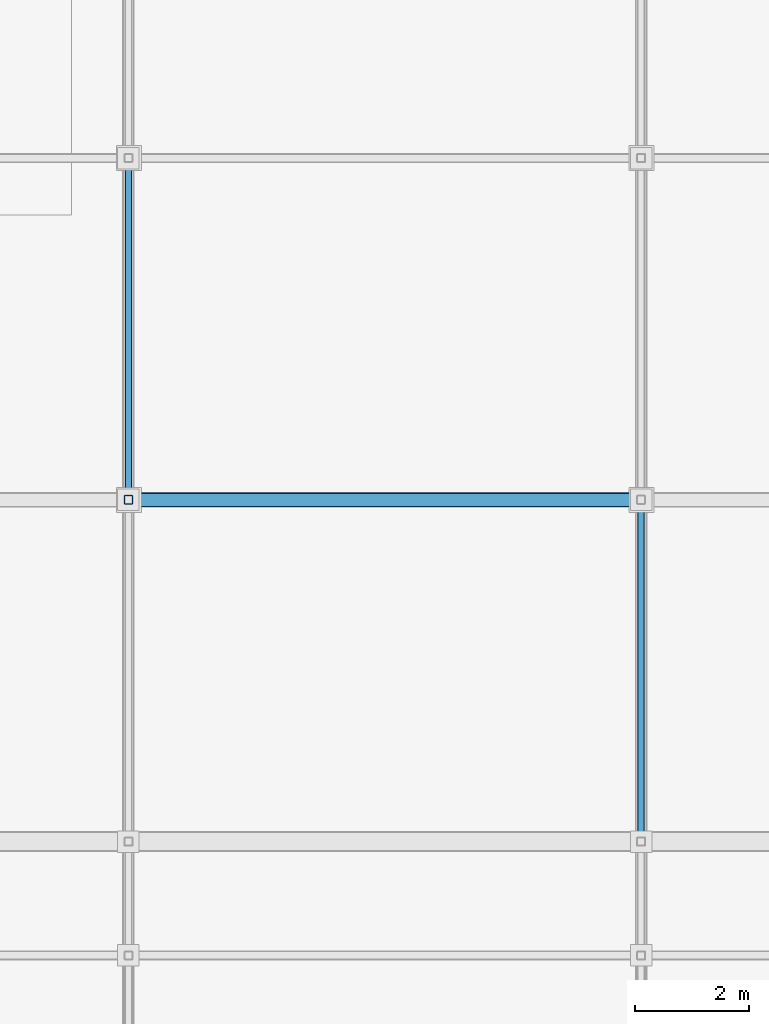
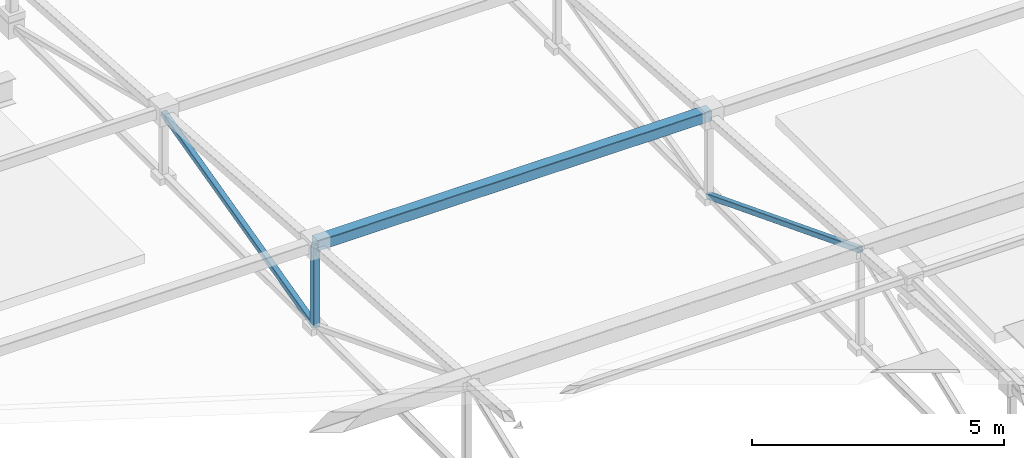
# One storey, part 40 of 85: 4 members.
"""IFC4 building model written with IfcOpenShell, lengths in metres."""

from ifc_helpers import new_model, si_unit, direction, frame, origin, origin_2d, place, context, subcontext, project, spatial, hollow_rectangle, extrude, material, material_profile, profile_set, type_object, element, save


model = new_model("IFC4")

# Units and contexts
model_context = context("Model", 3, precision=1e-05, world=origin(), true_north=direction((0.0, 1.0)))
body_context = subcontext(model_context, "Body", "Model", "MODEL_VIEW")
ifc_project = project(units=[si_unit("LENGTHUNIT", "METRE"), si_unit("AREAUNIT", "SQUARE_METRE"), si_unit("VOLUMEUNIT", "CUBIC_METRE"), si_unit("PLANEANGLEUNIT", "RADIAN"), si_unit("MASSUNIT", "GRAM", prefix="KILO"), si_unit("THERMODYNAMICTEMPERATUREUNIT", "KELVIN"), si_unit("POWERUNIT", "WATT")], contexts=[model_context])

# Site, building, storey
site_placement = place(None, origin())
site = spatial("IfcSite", under=ifc_project, at=site_placement, CompositionType="ELEMENT")
building_placement = place(site_placement, origin())
building = spatial("IfcBuilding", under=site, at=building_placement, Name="Zelmaris Science Centre", CompositionType="ELEMENT")
storey_placement = place(building_placement, frame((0.0, 0.0, 20.39990234375)))
storey = spatial("IfcBuildingStorey", under=building, at=storey_placement, Name="L04", CompositionType="ELEMENT", Elevation=20.39990234375)

# Members
ifc_material = material(Name="Steel ASTM A500 Grade C", Category="steel")
ifc_material_profile_1 = material_profile(ifc_material, hollow_rectangle(XDim=0.25390625, YDim=0.25390625, WallThickness=0.01171875, InnerFilletRadius=0.01171875, OuterFilletRadius=0.023681640625, at=origin_2d()), Name="HSS254X254X13")
ifc_profile_set_1 = profile_set([ifc_material_profile_1], Name="Steel ASTM A500 Grade C")
member_type_1 = type_object("IfcMemberType", Name="Roof Purlin PR-09 HSS254X254X13", PredefinedType="PURLIN", material=ifc_profile_set_1)
member_1_placement = place(storey_placement, frame((117.0, 44.0, 2.9423828125), z_axis=(1.0, 0.0, 0.0), x_axis=(0.0, 1.0, 0.0)))
element("IfcMember", 1, at=member_1_placement, inside=storey, type_object=member_type_1, Name="RF-V4 Roof purlin 14", PredefinedType="PURLIN", context=body_context, shape_type="SweptSolid", body=[
    extrude(hollow_rectangle(XDim=0.25390625, YDim=0.25390625, WallThickness=0.01171875, InnerFilletRadius=0.01171875, OuterFilletRadius=0.023681640625, at=origin_2d()), origin(), (0.0, 0.0, 1.0), 9.0),
])
ifc_material_profile_2 = material_profile(ifc_material, hollow_rectangle(XDim=0.15234375, YDim=0.15234375, WallThickness=0.0087890625, InnerFilletRadius=0.0087890625, OuterFilletRadius=0.017822265625, at=origin_2d()), Name="HSS152X152X10")
ifc_profile_set_2 = profile_set([ifc_material_profile_2], Name="Steel ASTM A500 Grade C")
member_type_2 = type_object("IfcMemberType", Name="Structural Brace BR-03 HSS152X152X10", PredefinedType="BRACE", material=ifc_profile_set_2)
member_2_placement = place(storey_placement, frame((117.0, 44.0, 0.947998046875), z_axis=(0.0, 0.0, 1.0), x_axis=(1.0, 0.0, 0.0)))
element("IfcMember", 2, at=member_2_placement, inside=storey, type_object=member_type_2, Name="RF-V4 Roof truss 2 vertical web 6", PredefinedType="BRACE", context=body_context, shape_type="SweptSolid", body=[
    extrude(hollow_rectangle(XDim=0.15234375, YDim=0.15234375, WallThickness=0.0087890625, InnerFilletRadius=0.0087890625, OuterFilletRadius=0.017822265625, at=origin_2d()), origin(), (0.0, 0.0, 1.0), 1.9248046875),
])
ifc_material_profile_3 = material_profile(ifc_material, hollow_rectangle(XDim=0.126953125, YDim=0.126953125, WallThickness=0.00732421875, InnerFilletRadius=0.00732421875, OuterFilletRadius=0.014892578125, at=origin_2d()), Name="HSS127X127X8")
ifc_profile_set_3 = profile_set([ifc_material_profile_3], Name="Steel ASTM A500 Grade C")
member_type_3 = type_object("IfcMemberType", Name="Structural Brace BR-04 HSS127X127X8", PredefinedType="BRACE", material=ifc_profile_set_3)
member_3_placement = place(storey_placement, frame((117.0, 44.0, 0.947998046875), z_axis=(0.0, 0.969667181253, 0.244429044102), x_axis=(-1.0, 0.0, 0.0)))
element("IfcMember", 3, at=member_3_placement, inside=storey, type_object=member_type_3, Name="RF-V4 Roof truss 2 web diagonal 7", PredefinedType="BRACE", context=body_context, shape_type="SweptSolid", body=[
    extrude(hollow_rectangle(XDim=0.126953125, YDim=0.126953125, WallThickness=0.00732421875, InnerFilletRadius=0.00732421875, OuterFilletRadius=0.014892578125, at=origin_2d()), origin(), (0.0, 0.0, 1.0), 6.187744140625),
])
member_4_placement = place(storey_placement, frame((126.0, 38.0, 3.285400390625), z_axis=(0.0, 0.93179104927, -0.362995097075), x_axis=(-1.0, 0.0, 0.0)))
element("IfcMember", 4, at=member_4_placement, inside=storey, type_object=member_type_3, Name="RF-V4 Roof truss 3 web diagonal 6", PredefinedType="BRACE", context=body_context, shape_type="SweptSolid", body=[
    extrude(hollow_rectangle(XDim=0.126953125, YDim=0.126953125, WallThickness=0.00732421875, InnerFilletRadius=0.00732421875, OuterFilletRadius=0.014892578125, at=origin_2d()), origin(), (0.0, 0.0, 1.0), 6.439208984375),
])

save(model, "model.ifc")
